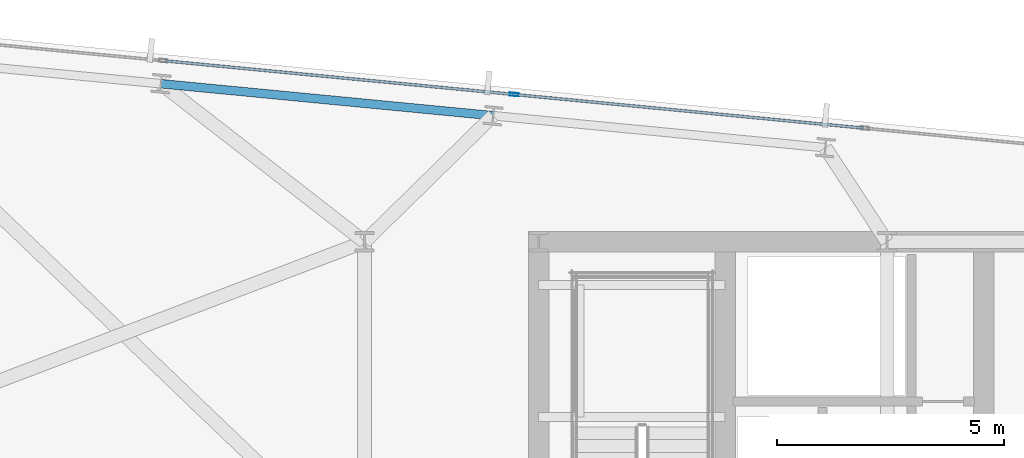
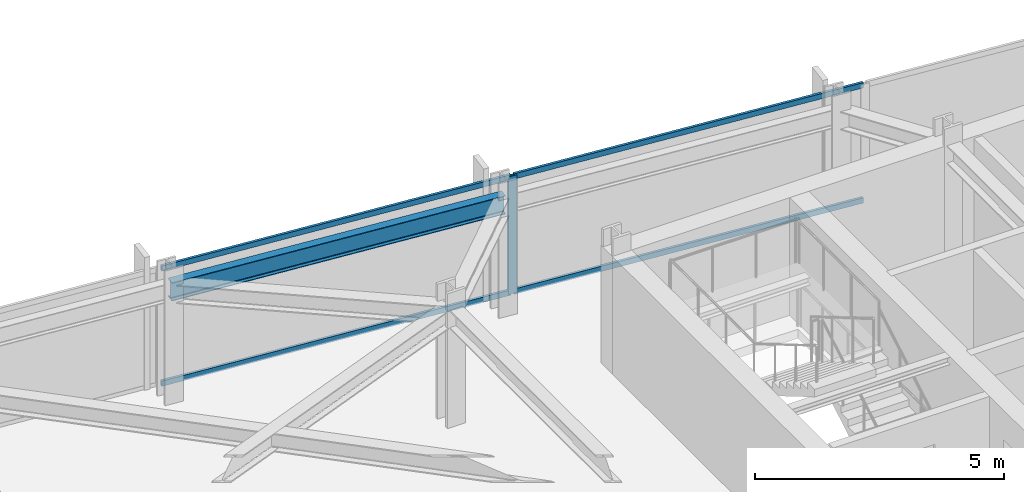
# One storey, part 25 of 37: 5 members, 1 beam, 1 element without a shape of its own.
"""IFC4 building model written with IfcOpenShell, lengths in metres."""

from ifc_helpers import new_model, si_unit, direction, frame, origin, origin_2d, place, context, subcontext, project, spatial, hollow_rectangle, i_section, extrude, material, material_profile, profile_set, type_object, element, aggregate, save


model = new_model("IFC4")

# Units and contexts
model_context = context("Model", 3, precision=1e-05, world=origin(), true_north=direction((0.0, 1.0)))
body_context = subcontext(model_context, "Body", "Model", "MODEL_VIEW")
ifc_project = project(units=[si_unit("LENGTHUNIT", "METRE"), si_unit("AREAUNIT", "SQUARE_METRE"), si_unit("VOLUMEUNIT", "CUBIC_METRE"), si_unit("PLANEANGLEUNIT", "RADIAN"), si_unit("MASSUNIT", "GRAM", prefix="KILO")], contexts=[model_context])

# Site, building, storey
site_placement = place(None, origin())
site = spatial("IfcSite", under=ifc_project, at=site_placement, CompositionType="ELEMENT")
building_placement = place(site_placement, origin())
building = spatial("IfcBuilding", under=site, at=building_placement, Name="Yelkora Congress Tower", CompositionType="ELEMENT")
storey_placement = place(building_placement, frame((0.0, 0.0, 188.60009765625)))
storey = spatial("IfcBuildingStorey", under=building, at=storey_placement, Name="L52", CompositionType="ELEMENT", Elevation=188.60009765625)

# Beam
ifc_material_1 = material(Name="Steel S355J2", Category="steel")
ifc_material_profile_1 = material_profile(ifc_material_1, i_section(OverallWidth=0.18994140625, OverallDepth=0.449951171875, WebThickness=0.009521484375, FlangeThickness=0.0146484375, FilletRadius=0.02099609375, at=origin_2d()), Name="IPE 450")
ifc_profile_set_1 = profile_set([ifc_material_profile_1], Name="Steel S355J2")
beam_type = type_object("IfcBeamType", Name="BM-SPAN-IPE450", PredefinedType="SPANDREL", material=ifc_profile_set_1)
beam_placement = place(storey_placement, frame((22.035400390625, 48.980224609375, 2.65478515625), z_axis=(-0.995393938538, 0.095869218844, 0.0), x_axis=(-0.095869218844, -0.995393938538, 0.0)))
element("IfcBeam", 1, at=beam_placement, inside=storey, type_object=beam_type, Name="L52 Perimeter Beam 14", PredefinedType="SPANDREL", context=body_context, shape_type="SweptSolid", body=[
    extrude(i_section(OverallWidth=0.18994140625, OverallDepth=0.449951171875, WebThickness=0.009521484375, FlangeThickness=0.0146484375, FilletRadius=0.02099609375, at=origin_2d()), origin(), (0.0, 0.0, 1.0), 7.357177734375),
])

# Curtain wall, members
ifc_material_2 = material(Name="Anodised aluminium and insulated glass", Category="aluminium")
curtain_wall_type = type_object("IfcCurtainWallType", Name="CW-SYS-B3", PredefinedType="NOTDEFINED", material=ifc_material_2)
curtain_wall_placement = place(storey_placement, origin())
curtain_wall = element("IfcCurtainWall", 2, at=curtain_wall_placement, inside=storey, type_object=curtain_wall_type, Name="L52 Unitised Curtain Wall 10 (1)", PredefinedType="NOTDEFINED")
ifc_material_3 = material(Name="Anodised aluminium 6063-T6", Category="aluminium")
ifc_material_profile_2 = material_profile(ifc_material_3, hollow_rectangle(XDim=0.070068359375, YDim=0.18994140625, WallThickness=0.00390625, at=origin_2d()), Name="ALU 70x190x4")
ifc_profile_set_2 = profile_set([ifc_material_profile_2], Name="Anodised aluminium 6063-T6")
member_type_1 = type_object("IfcMemberType", Name="MEM-ML-B3", PredefinedType="MULLION", material=ifc_profile_set_2)
member_1_placement = place(storey_placement, frame((22.496826171875, 49.4482421875, 0.0), z_axis=(0.0, 0.0, 1.0), x_axis=(0.095844761168, 0.995396293823, 0.0)))
member_1 = element("IfcMember", 3, at=member_1_placement, type_object=member_type_1, Name="CW-B3 mullion 3", PredefinedType="MULLION", context=body_context, shape_type="SweptSolid", body=[
    extrude(hollow_rectangle(XDim=0.070068359375, YDim=0.18994140625, WallThickness=0.00390625, at=origin_2d()), origin(), (0.0, 0.0, 1.0), 2.8798828125),
])
ifc_material_profile_3 = material_profile(ifc_material_3, hollow_rectangle(XDim=0.06005859375, YDim=0.1298828125, WallThickness=0.00390625, at=origin_2d()), Name="ALU 60x130x4")
ifc_profile_set_3 = profile_set([ifc_material_profile_3], Name="Anodised aluminium 6063-T6")
member_type_2 = type_object("IfcMemberType", Name="MEM-TR-B3", PredefinedType="USERDEFINED", material=ifc_profile_set_3)
member_2_placement = place(storey_placement, frame((14.798095703125, 50.189697265625, 0.02978515625), z_axis=(0.995395016973, -0.095858020971, 0.0), x_axis=(0.095858020971, 0.995395016973, 0.0)))
member_2 = element("IfcMember", 4, at=member_2_placement, type_object=member_type_2, Name="CW-B3 transom 2.1", ObjectType="TRANSOM", PredefinedType="USERDEFINED", context=body_context, shape_type="SweptSolid", body=[
    extrude(hollow_rectangle(XDim=0.06005859375, YDim=0.1298828125, WallThickness=0.00390625, at=origin_2d()), origin(), (0.0, 0.0, 1.0), 7.69921875),
])
member_3_placement = place(storey_placement, frame((14.798095703125, 50.189697265625, 2.849853515625), z_axis=(0.995395016973, -0.095858020971, 0.0), x_axis=(0.095858020971, 0.995395016973, 0.0)))
member_3 = element("IfcMember", 5, at=member_3_placement, type_object=member_type_2, Name="CW-B3 transom 2.2", ObjectType="TRANSOM", PredefinedType="USERDEFINED", context=body_context, shape_type="SweptSolid", body=[
    extrude(hollow_rectangle(XDim=0.06005859375, YDim=0.1298828125, WallThickness=0.00390625, at=origin_2d()), origin(), (0.0, 0.0, 1.0), 7.69921875),
])
member_4_placement = place(storey_placement, frame((22.531494140625, 49.44482421875, 0.02978515625), z_axis=(0.995398333273, -0.095823578082, 0.0), x_axis=(0.095823578082, 0.995398333273, 0.0)))
member_4 = element("IfcMember", 6, at=member_4_placement, type_object=member_type_2, Name="CW-B3 transom 3.1", ObjectType="TRANSOM", PredefinedType="USERDEFINED", context=body_context, shape_type="SweptSolid", body=[
    extrude(hollow_rectangle(XDim=0.06005859375, YDim=0.1298828125, WallThickness=0.00390625, at=origin_2d()), origin(), (0.0, 0.0, 1.0), 7.699462890625),
])
member_5_placement = place(storey_placement, frame((22.531494140625, 49.44482421875, 2.849853515625), z_axis=(0.995398333273, -0.095823578082, 0.0), x_axis=(0.095823578082, 0.995398333273, 0.0)))
member_5 = element("IfcMember", 7, at=member_5_placement, type_object=member_type_2, Name="CW-B3 transom 3.2", ObjectType="TRANSOM", PredefinedType="USERDEFINED", context=body_context, shape_type="SweptSolid", body=[
    extrude(hollow_rectangle(XDim=0.06005859375, YDim=0.1298828125, WallThickness=0.00390625, at=origin_2d()), origin(), (0.0, 0.0, 1.0), 7.699462890625),
])
aggregate(curtain_wall, [member_1, member_2, member_3, member_4, member_5])

save(model, "model.ifc")
